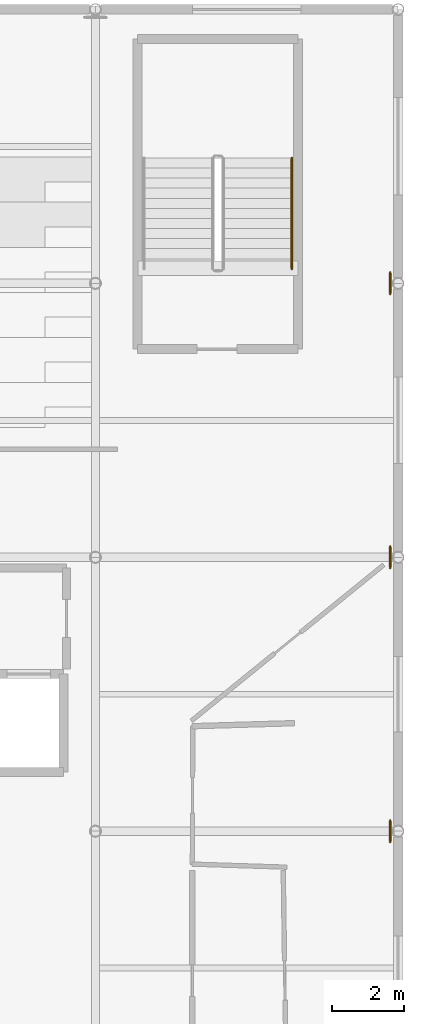
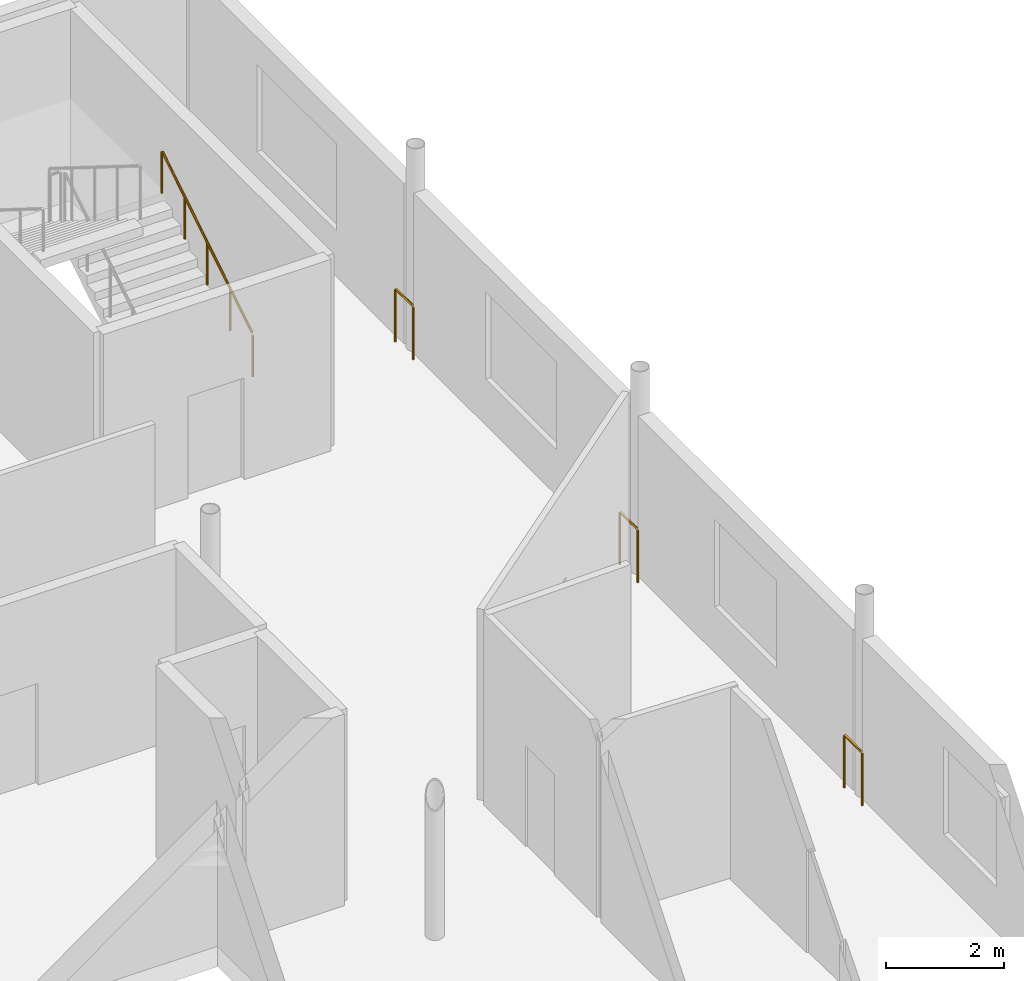
# One storey, part 13 of 13: 4 railings.
"""IFC4 building model written with IfcOpenShell, lengths in metres."""

from ifc_helpers import new_model, si_unit, direction, frame, origin, origin_2d, place, context, subcontext, project, spatial, circle, extrude, material, type_object, element, save


model = new_model("IFC4")

# Units and contexts
model_context = context("Model", 3, precision=1e-05, world=origin(), true_north=direction((0.0, 1.0)))
body_context = subcontext(model_context, "Body", "Model", "MODEL_VIEW")
ifc_project = project(units=[si_unit("LENGTHUNIT", "METRE"), si_unit("AREAUNIT", "SQUARE_METRE"), si_unit("VOLUMEUNIT", "CUBIC_METRE"), si_unit("PLANEANGLEUNIT", "RADIAN"), si_unit("MASSUNIT", "GRAM", prefix="KILO")], contexts=[model_context])

# Site, building, storey
site_placement = place(None, origin())
site = spatial("IfcSite", under=ifc_project, at=site_placement, CompositionType="ELEMENT")
building_placement = place(site_placement, origin())
building = spatial("IfcBuilding", under=site, at=building_placement, Name="Zuvorla Pavilion Media Centre", CompositionType="ELEMENT")
storey_placement = place(building_placement, frame((0.0, 0.0, 22.199951171875)))
storey = spatial("IfcBuildingStorey", under=building, at=storey_placement, Name="L05", CompositionType="ELEMENT", Elevation=22.199951171875)

# Railings
ifc_material_1 = material(Name="Powder-coated steel balustrade guard", Category="steel")
railing_type_1 = type_object("IfcRailingType", Name="RL-INT-GRD", PredefinedType="BALUSTRADE", material=ifc_material_1)
railing_1_placement = place(storey_placement, frame((108.580078125, 29.101806640625, 0.0)))
element("IfcRailing", 1, at=railing_1_placement, inside=storey, type_object=railing_type_1, Name="L05 slab edge guard 134", PredefinedType="BALUSTRADE", context=body_context, shape_type="SweptSolid", body=[
    extrude(circle(Radius=0.02392578125, at=origin_2d()), frame((0.0, -0.02880859375, 1.09619140625), z_axis=(0.0, -1.0, 0.0), x_axis=(1.0, 0.0, 0.0)), (0.0, 0.0, 1.0), 0.546142578125),
    extrude(circle(Radius=0.02099609375, at=origin_2d()), origin(), (0.0, 0.0, 1.0), 1.070068359375),
    extrude(circle(Radius=0.02099609375, at=origin_2d()), frame((0.0, -0.603759765625, 0.0)), (0.0, 0.0, 1.0), 1.070068359375),
])
railing_2_placement = place(storey_placement, frame((108.580078125, 21.501953125, 0.0)))
element("IfcRailing", 2, at=railing_2_placement, inside=storey, type_object=railing_type_1, Name="L05 slab edge guard 135", PredefinedType="BALUSTRADE", context=body_context, shape_type="SweptSolid", body=[
    extrude(circle(Radius=0.02392578125, at=origin_2d()), frame((0.0, -0.02880859375, 1.09619140625), z_axis=(0.0, -1.0, 0.0), x_axis=(1.0, 0.0, 0.0)), (0.0, 0.0, 1.0), 0.54638671875),
    extrude(circle(Radius=0.02099609375, at=origin_2d()), origin(), (0.0, 0.0, 1.0), 1.070068359375),
    extrude(circle(Radius=0.02099609375, at=origin_2d()), frame((0.0, -0.60400390625, 0.0)), (0.0, 0.0, 1.0), 1.070068359375),
])
railing_3_placement = place(storey_placement, frame((108.580078125, 13.90185546875, 0.0)))
element("IfcRailing", 3, at=railing_3_placement, inside=storey, type_object=railing_type_1, Name="L05 slab edge guard 136", PredefinedType="BALUSTRADE", context=body_context, shape_type="SweptSolid", body=[
    extrude(circle(Radius=0.02392578125, at=origin_2d()), frame((0.0, -0.02880859375, 1.09619140625), z_axis=(0.0, -1.0, 0.0), x_axis=(1.0, 0.0, 0.0)), (0.0, 0.0, 1.0), 0.546142578125),
    extrude(circle(Radius=0.02099609375, at=origin_2d()), origin(), (0.0, 0.0, 1.0), 1.070068359375),
    extrude(circle(Radius=0.02099609375, at=origin_2d()), frame((0.0, -0.603759765625, 0.0)), (0.0, 0.0, 1.0), 1.070068359375),
])
ifc_material_2 = material(Name="Brushed stainless steel tubular handrail", Category="steel")
railing_type_2 = type_object("IfcRailingType", Name="RL-INT-HND", PredefinedType="HANDRAIL", material=ifc_material_2)
railing_4_placement = place(storey_placement, frame((105.85009765625, 29.199951171875, 0.175048828125)))
element("IfcRailing", 4, at=railing_4_placement, inside=storey, type_object=railing_type_2, Name="L05 ST-04 handrail 1", PredefinedType="HANDRAIL", context=body_context, shape_type="SweptSolid", body=[
    extrude(circle(Radius=0.02392578125, at=origin_2d()), frame((0.0, 0.0244140625, 0.89111328125), z_axis=(0.0, 0.847998304005, 0.529998940003), x_axis=(-1.0, 0.0, 0.0)), (0.0, 0.0, 1.0), 3.574462890625),
    extrude(circle(Radius=0.02099609375, at=origin_2d()), origin(), (0.0, 0.0, 1.0), 0.849853515625),
    extrude(circle(Radius=0.02099609375, at=origin_2d()), frame((0.0, 0.77001953125, 0.481201171875)), (0.0, 0.0, 1.0), 0.849853515625),
    extrude(circle(Radius=0.02099609375, at=origin_2d()), frame((0.0, 1.5400390625, 0.96240234375)), (0.0, 0.0, 1.0), 0.849853515625),
    extrude(circle(Radius=0.02099609375, at=origin_2d()), frame((0.0, 2.31005859375, 1.44384765625)), (0.0, 0.0, 1.0), 0.849853515625),
    extrude(circle(Radius=0.02099609375, at=origin_2d()), frame((0.0, 3.080078125, 1.925048828125)), (0.0, 0.0, 1.0), 0.849853515625),
])

save(model, "model.ifc")
